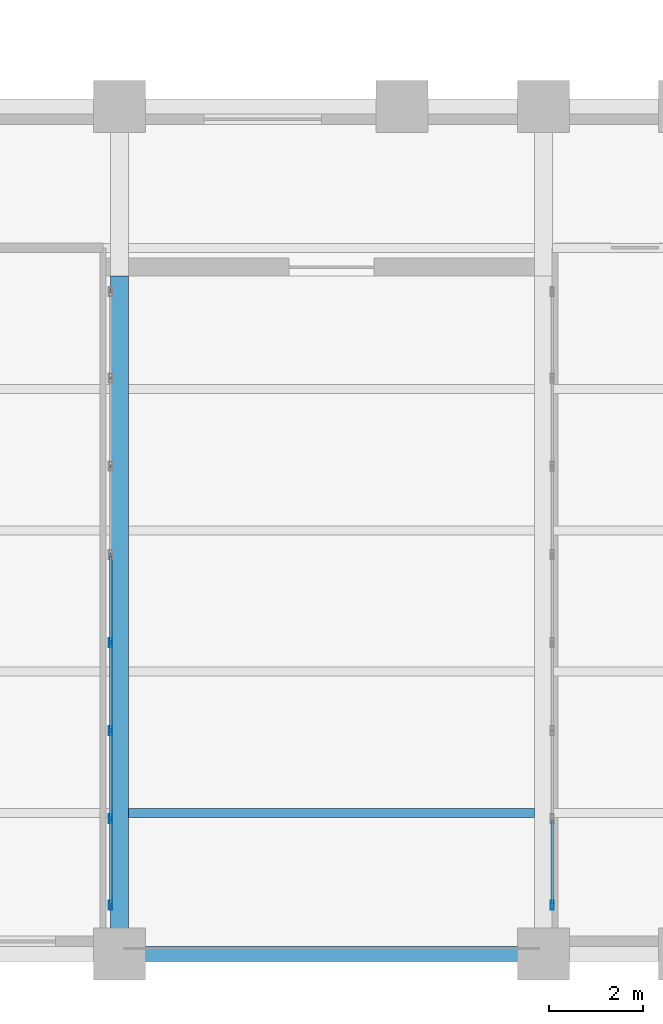
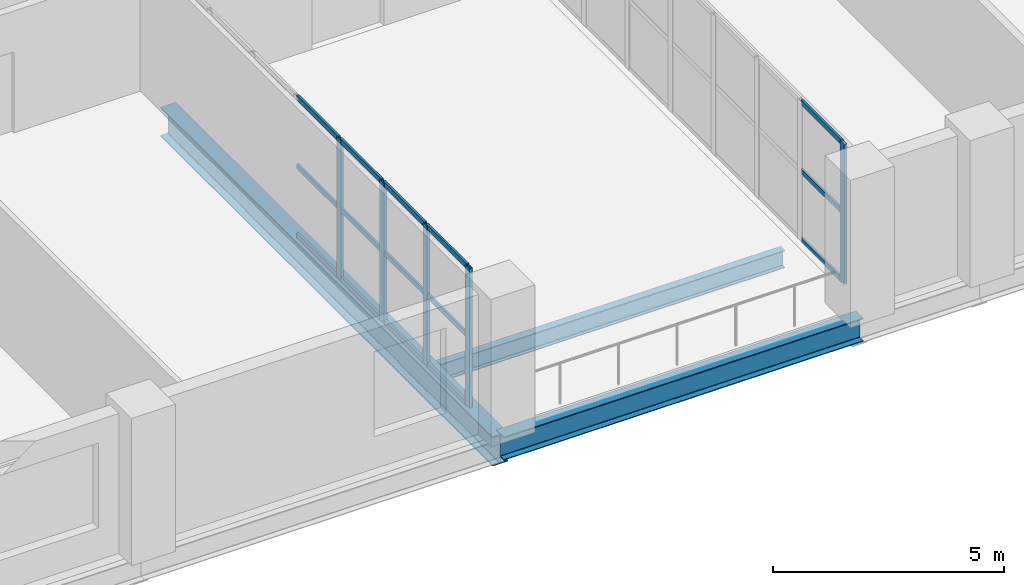
# One storey, part 2 of 12: 20 members, 3 beams, 2 elements without a shape of their own.
"""IFC4 building model written with IfcOpenShell, lengths in metres."""

from ifc_helpers import new_model, si_unit, direction, frame, origin, origin_2d, place, context, subcontext, project, spatial, hollow_rectangle, i_section, extrude, material, layer, layer_set, material_profile, profile_set, type_object, element, aggregate, save


model = new_model("IFC4")

# Units and contexts
model_context = context("Model", 3, precision=1e-05, world=origin(), true_north=direction((0.0, 1.0)))
body_context = subcontext(model_context, "Body", "Model", "MODEL_VIEW")
ifc_project = project(units=[si_unit("LENGTHUNIT", "METRE"), si_unit("AREAUNIT", "SQUARE_METRE"), si_unit("VOLUMEUNIT", "CUBIC_METRE"), si_unit("PLANEANGLEUNIT", "RADIAN"), si_unit("MASSUNIT", "GRAM", prefix="KILO")], contexts=[model_context])

# Site, building, storey
site_placement = place(None, origin())
site = spatial("IfcSite", under=ifc_project, at=site_placement, CompositionType="ELEMENT")
building_placement = place(site_placement, origin())
building = spatial("IfcBuilding", under=site, at=building_placement, Name="Mawjdan Bourse Tower", CompositionType="ELEMENT")
storey_placement = place(building_placement, frame((0.0, 0.0, 120.60009765625)))
storey = spatial("IfcBuildingStorey", under=building, at=storey_placement, Name="L28", CompositionType="ELEMENT", Elevation=120.60009765625)

# Beams
ifc_material_1 = material(Name="Structural Steel S355", Category="steel")
ifc_material_profile_1 = material_profile(ifc_material_1, i_section(OverallWidth=0.381103515625, OverallDepth=0.77294921875, WebThickness=0.0166015625, FlangeThickness=0.027099609375, FilletRadius=0.021728515625, at=origin_2d()), Name="W30X173")
ifc_profile_set_1 = profile_set([ifc_material_profile_1], Name="Structural Steel S355")
beam_type_1 = type_object("IfcBeamType", Name="GRD-W30X173", PredefinedType="BEAM", material=ifc_profile_set_1)
beam_1_placement = place(storey_placement, frame((42.0, 3.0, -0.586669921875), z_axis=(0.0, 1.0, 0.0), x_axis=(-1.0, 0.0, 0.0)))
element("IfcBeam", 1, at=beam_1_placement, inside=storey, type_object=beam_type_1, Name="L28 East Wing Clear-Span Girder 003", PredefinedType="BEAM", context=body_context, shape_type="SweptSolid", body=[
    extrude(i_section(OverallWidth=0.381103515625, OverallDepth=0.77294921875, WebThickness=0.0166015625, FlangeThickness=0.027099609375, FilletRadius=0.021728515625, at=origin_2d()), origin(), (0.0, 0.0, 1.0), 14.39990234375),
])
ifc_material_profile_2 = material_profile(ifc_material_1, i_section(OverallWidth=0.19189453125, OverallDepth=0.462890625, WebThickness=0.010498046875, FlangeThickness=0.017578125, FilletRadius=0.01416015625, at=origin_2d()), Name="W18X60")
ifc_profile_set_2 = profile_set([ifc_material_profile_2], Name="Structural Steel S355")
beam_type_2 = type_object("IfcBeamType", Name="JST-W18X60", PredefinedType="JOIST", material=ifc_profile_set_2)
beam_2_placement = place(storey_placement, frame((42.1884765625, 6.0, -0.401611328125), z_axis=(1.0, 0.0, 0.0), x_axis=(0.0, 1.0, 0.0)))
element("IfcBeam", 2, at=beam_2_placement, inside=storey, type_object=beam_type_2, Name="L28 L28 Portal Sky Deck Joist 025", PredefinedType="JOIST", context=body_context, shape_type="SweptSolid", body=[
    extrude(i_section(OverallWidth=0.19189453125, OverallDepth=0.462890625, WebThickness=0.010498046875, FlangeThickness=0.017578125, FilletRadius=0.01416015625, at=origin_2d()), origin(), (0.0, 0.0, 1.0), 8.623046875),
])

# Curtain wall, members
ifc_material_2 = material(Name="Thermally Broken Aluminium and Solar Glass", Category="aluminium")
ifc_layer = layer(ifc_material_2, 0.219970703125)
ifc_layer_set = layer_set([ifc_layer], Name="Thermally Broken Aluminium and Solar Glass")
curtain_wall_type = type_object("IfcCurtainWallType", Name="CW-POR", PredefinedType="USERDEFINED", material=ifc_layer_set)
curtain_wall_1_placement = place(storey_placement, origin())
curtain_wall_1 = element("IfcCurtainWall", 3, at=curtain_wall_1_placement, inside=storey, type_object=curtain_wall_type, Name="L28 East Void Portal Glazed Cheek 1", ObjectType="VOID PORTAL CURTAIN WALL", PredefinedType="USERDEFINED")
ifc_material_3 = material(Name="Thermally Broken Anodised Aluminium", Category="aluminium")
ifc_material_profile_3 = material_profile(ifc_material_3, hollow_rectangle(XDim=0.070068359375, YDim=0.18994140625, WallThickness=0.00439453125, at=origin_2d()), Name="ALU-MUL-190X70")
ifc_profile_set_3 = profile_set([ifc_material_profile_3], Name="Thermally Broken Anodised Aluminium")
member_type_1 = type_object("IfcMemberType", Name="MUL-ALU-MUL-190X70", PredefinedType="MULLION", material=ifc_profile_set_3)
member_1_placement = place(storey_placement, frame((41.81005859375, 4.034912109375, 0.0), z_axis=(0.0, 0.0, 1.0), x_axis=(-1.0, 0.0, 0.0)))
member_1 = element("IfcMember", 4, at=member_1_placement, type_object=member_type_1, Name="CW-POR-L28-POR-E1 mullion 1", PredefinedType="MULLION", context=body_context, shape_type="SweptSolid", body=[
    extrude(hollow_rectangle(XDim=0.070068359375, YDim=0.18994140625, WallThickness=0.00439453125, at=origin_2d()), origin(), (0.0, 0.0, 1.0), 3.699951171875),
])
member_2_placement = place(storey_placement, frame((41.81005859375, 5.871337890625, 0.0), z_axis=(0.0, 0.0, 1.0), x_axis=(-1.0, 0.0, 0.0)))
member_2 = element("IfcMember", 5, at=member_2_placement, type_object=member_type_1, Name="CW-POR-L28-POR-E1 mullion 2", PredefinedType="MULLION", context=body_context, shape_type="SweptSolid", body=[
    extrude(hollow_rectangle(XDim=0.070068359375, YDim=0.18994140625, WallThickness=0.00439453125, at=origin_2d()), origin(), (0.0, 0.0, 1.0), 3.699951171875),
])
member_3_placement = place(storey_placement, frame((41.81005859375, 7.742919921875, 0.0), z_axis=(0.0, 0.0, 1.0), x_axis=(-1.0, 0.0, 0.0)))
member_3 = element("IfcMember", 6, at=member_3_placement, type_object=member_type_1, Name="CW-POR-L28-POR-E1 mullion 3", PredefinedType="MULLION", context=body_context, shape_type="SweptSolid", body=[
    extrude(hollow_rectangle(XDim=0.070068359375, YDim=0.18994140625, WallThickness=0.00439453125, at=origin_2d()), origin(), (0.0, 0.0, 1.0), 3.699951171875),
])
member_4_placement = place(storey_placement, frame((41.81005859375, 9.6142578125, 0.0), z_axis=(0.0, 0.0, 1.0), x_axis=(-1.0, 0.0, 0.0)))
member_4 = element("IfcMember", 7, at=member_4_placement, type_object=member_type_1, Name="CW-POR-L28-POR-E1 mullion 4", PredefinedType="MULLION", context=body_context, shape_type="SweptSolid", body=[
    extrude(hollow_rectangle(XDim=0.070068359375, YDim=0.18994140625, WallThickness=0.00439453125, at=origin_2d()), origin(), (0.0, 0.0, 1.0), 3.699951171875),
])

# Curtain wall, member
curtain_wall_2_placement = place(storey_placement, origin())
curtain_wall_2 = element("IfcCurtainWall", 8, at=curtain_wall_2_placement, inside=storey, type_object=curtain_wall_type, Name="L28 East Void Portal Glazed Cheek 3", ObjectType="VOID PORTAL CURTAIN WALL", PredefinedType="USERDEFINED")
member_5_placement = place(storey_placement, frame((51.18994140625, 4.034912109375, 0.0), z_axis=(0.0, 0.0, 1.0), x_axis=(1.0, 0.0, 0.0)))
member_5 = element("IfcMember", 9, at=member_5_placement, type_object=member_type_1, Name="CW-POR-L28-POR-E3 mullion 8", PredefinedType="MULLION", context=body_context, shape_type="SweptSolid", body=[
    extrude(hollow_rectangle(XDim=0.070068359375, YDim=0.18994140625, WallThickness=0.00439453125, at=origin_2d()), origin(), (0.0, 0.0, 1.0), 3.699951171875),
])

# Beam
ifc_material_profile_4 = material_profile(ifc_material_1, i_section(OverallWidth=0.324951171875, OverallDepth=0.616943359375, WebThickness=0.013916015625, FlangeThickness=0.021484375, FilletRadius=0.017333984375, at=origin_2d()), Name="W24X117")
ifc_profile_set_4 = profile_set([ifc_material_profile_4], Name="Structural Steel S355")
beam_type_3 = type_object("IfcBeamType", Name="SPN-W24X117", PredefinedType="SPANDREL", material=ifc_profile_set_4)
beam_3_placement = place(storey_placement, frame((42.0, 3.0, -0.478515625), z_axis=(1.0, 0.0, 0.0), x_axis=(0.0, 1.0, 0.0)))
element("IfcBeam", 10, at=beam_3_placement, inside=storey, type_object=beam_type_3, Name="L28 L28 Portal Sky Deck Edge Spandrel 012", PredefinedType="SPANDREL", context=body_context, shape_type="SweptSolid", body=[
    extrude(i_section(OverallWidth=0.324951171875, OverallDepth=0.616943359375, WebThickness=0.013916015625, FlangeThickness=0.021484375, FilletRadius=0.017333984375, at=origin_2d()), origin(), (0.0, 0.0, 1.0), 9.0),
])

# Member
ifc_material_profile_5 = material_profile(ifc_material_3, hollow_rectangle(XDim=0.054931640625, YDim=0.1298828125, WallThickness=0.00341796875, at=origin_2d()), Name="ALU-TRN-130X55")
ifc_profile_set_5 = profile_set([ifc_material_profile_5], Name="Thermally Broken Anodised Aluminium")
member_type_2 = type_object("IfcMemberType", Name="TRN-ALU-TRN-130X55", PredefinedType="USERDEFINED", material=ifc_profile_set_5)
member_6_placement = place(storey_placement, frame((41.81005859375, 4.070068359375, 0.02734375), z_axis=(0.0, 1.0, 0.0), x_axis=(-1.0, 0.0, 0.0)))
member_6 = element("IfcMember", 11, at=member_6_placement, type_object=member_type_2, Name="CW-POR-L28-POR-E1 transom 1.1", ObjectType="TRANSOM", PredefinedType="USERDEFINED", context=body_context, shape_type="SweptSolid", body=[
    extrude(hollow_rectangle(XDim=0.054931640625, YDim=0.1298828125, WallThickness=0.00341796875, at=origin_2d()), origin(), (0.0, 0.0, 1.0), 1.766357421875),
])

member_7_placement = place(storey_placement, frame((41.81005859375, 4.070068359375, 1.849853515625), z_axis=(0.0, 1.0, 0.0), x_axis=(-1.0, 0.0, 0.0)))
member_7 = element("IfcMember", 12, at=member_7_placement, type_object=member_type_2, Name="CW-POR-L28-POR-E1 transom 1.2", ObjectType="TRANSOM", PredefinedType="USERDEFINED", context=body_context, shape_type="SweptSolid", body=[
    extrude(hollow_rectangle(XDim=0.054931640625, YDim=0.1298828125, WallThickness=0.00341796875, at=origin_2d()), origin(), (0.0, 0.0, 1.0), 1.766357421875),
])

member_8_placement = place(storey_placement, frame((41.81005859375, 4.070068359375, 3.67236328125), z_axis=(0.0, 1.0, 0.0), x_axis=(-1.0, 0.0, 0.0)))
member_8 = element("IfcMember", 13, at=member_8_placement, type_object=member_type_2, Name="CW-POR-L28-POR-E1 transom 1.3", ObjectType="TRANSOM", PredefinedType="USERDEFINED", context=body_context, shape_type="SweptSolid", body=[
    extrude(hollow_rectangle(XDim=0.054931640625, YDim=0.1298828125, WallThickness=0.00341796875, at=origin_2d()), origin(), (0.0, 0.0, 1.0), 1.766357421875),
])

member_9_placement = place(storey_placement, frame((41.81005859375, 5.906494140625, 0.02734375), z_axis=(0.0, 1.0, 0.0), x_axis=(-1.0, 0.0, 0.0)))
member_9 = element("IfcMember", 14, at=member_9_placement, type_object=member_type_2, Name="CW-POR-L28-POR-E1 transom 2.1", ObjectType="TRANSOM", PredefinedType="USERDEFINED", context=body_context, shape_type="SweptSolid", body=[
    extrude(hollow_rectangle(XDim=0.054931640625, YDim=0.1298828125, WallThickness=0.00341796875, at=origin_2d()), origin(), (0.0, 0.0, 1.0), 1.80126953125),
])

member_10_placement = place(storey_placement, frame((41.81005859375, 5.906494140625, 1.849853515625), z_axis=(0.0, 1.0, 0.0), x_axis=(-1.0, 0.0, 0.0)))
member_10 = element("IfcMember", 15, at=member_10_placement, type_object=member_type_2, Name="CW-POR-L28-POR-E1 transom 2.2", ObjectType="TRANSOM", PredefinedType="USERDEFINED", context=body_context, shape_type="SweptSolid", body=[
    extrude(hollow_rectangle(XDim=0.054931640625, YDim=0.1298828125, WallThickness=0.00341796875, at=origin_2d()), origin(), (0.0, 0.0, 1.0), 1.80126953125),
])

member_11_placement = place(storey_placement, frame((41.81005859375, 5.906494140625, 3.67236328125), z_axis=(0.0, 1.0, 0.0), x_axis=(-1.0, 0.0, 0.0)))
member_11 = element("IfcMember", 16, at=member_11_placement, type_object=member_type_2, Name="CW-POR-L28-POR-E1 transom 2.3", ObjectType="TRANSOM", PredefinedType="USERDEFINED", context=body_context, shape_type="SweptSolid", body=[
    extrude(hollow_rectangle(XDim=0.054931640625, YDim=0.1298828125, WallThickness=0.00341796875, at=origin_2d()), origin(), (0.0, 0.0, 1.0), 1.80126953125),
])

member_12_placement = place(storey_placement, frame((41.81005859375, 7.77783203125, 0.02734375), z_axis=(0.0, 1.0, 0.0), x_axis=(-1.0, 0.0, 0.0)))
member_12 = element("IfcMember", 17, at=member_12_placement, type_object=member_type_2, Name="CW-POR-L28-POR-E1 transom 3.1", ObjectType="TRANSOM", PredefinedType="USERDEFINED", context=body_context, shape_type="SweptSolid", body=[
    extrude(hollow_rectangle(XDim=0.054931640625, YDim=0.1298828125, WallThickness=0.00341796875, at=origin_2d()), origin(), (0.0, 0.0, 1.0), 1.801513671875),
])

member_13_placement = place(storey_placement, frame((41.81005859375, 7.77783203125, 1.849853515625), z_axis=(0.0, 1.0, 0.0), x_axis=(-1.0, 0.0, 0.0)))
member_13 = element("IfcMember", 18, at=member_13_placement, type_object=member_type_2, Name="CW-POR-L28-POR-E1 transom 3.2", ObjectType="TRANSOM", PredefinedType="USERDEFINED", context=body_context, shape_type="SweptSolid", body=[
    extrude(hollow_rectangle(XDim=0.054931640625, YDim=0.1298828125, WallThickness=0.00341796875, at=origin_2d()), origin(), (0.0, 0.0, 1.0), 1.801513671875),
])

member_14_placement = place(storey_placement, frame((41.81005859375, 7.77783203125, 3.67236328125), z_axis=(0.0, 1.0, 0.0), x_axis=(-1.0, 0.0, 0.0)))
member_14 = element("IfcMember", 19, at=member_14_placement, type_object=member_type_2, Name="CW-POR-L28-POR-E1 transom 3.3", ObjectType="TRANSOM", PredefinedType="USERDEFINED", context=body_context, shape_type="SweptSolid", body=[
    extrude(hollow_rectangle(XDim=0.054931640625, YDim=0.1298828125, WallThickness=0.00341796875, at=origin_2d()), origin(), (0.0, 0.0, 1.0), 1.801513671875),
])

member_15_placement = place(storey_placement, frame((41.81005859375, 9.649169921875, 0.02734375), z_axis=(0.0, 1.0, 0.0), x_axis=(-1.0, 0.0, 0.0)))
member_15 = element("IfcMember", 20, at=member_15_placement, type_object=member_type_2, Name="CW-POR-L28-POR-E1 transom 4.1", ObjectType="TRANSOM", PredefinedType="USERDEFINED", context=body_context, shape_type="SweptSolid", body=[
    extrude(hollow_rectangle(XDim=0.054931640625, YDim=0.1298828125, WallThickness=0.00341796875, at=origin_2d()), origin(), (0.0, 0.0, 1.0), 1.801513671875),
])

member_16_placement = place(storey_placement, frame((41.81005859375, 9.649169921875, 1.849853515625), z_axis=(0.0, 1.0, 0.0), x_axis=(-1.0, 0.0, 0.0)))
member_16 = element("IfcMember", 21, at=member_16_placement, type_object=member_type_2, Name="CW-POR-L28-POR-E1 transom 4.2", ObjectType="TRANSOM", PredefinedType="USERDEFINED", context=body_context, shape_type="SweptSolid", body=[
    extrude(hollow_rectangle(XDim=0.054931640625, YDim=0.1298828125, WallThickness=0.00341796875, at=origin_2d()), origin(), (0.0, 0.0, 1.0), 1.801513671875),
])

member_17_placement = place(storey_placement, frame((41.81005859375, 9.649169921875, 3.67236328125), z_axis=(0.0, 1.0, 0.0), x_axis=(-1.0, 0.0, 0.0)))
member_17 = element("IfcMember", 22, at=member_17_placement, type_object=member_type_2, Name="CW-POR-L28-POR-E1 transom 4.3", ObjectType="TRANSOM", PredefinedType="USERDEFINED", context=body_context, shape_type="SweptSolid", body=[
    extrude(hollow_rectangle(XDim=0.054931640625, YDim=0.1298828125, WallThickness=0.00341796875, at=origin_2d()), origin(), (0.0, 0.0, 1.0), 1.801513671875),
])

aggregate(curtain_wall_1, [member_1, member_2, member_3, member_4, member_6, member_7, member_8, member_9, member_10, member_11, member_12, member_13, member_14, member_15, member_16, member_17])

member_18_placement = place(storey_placement, frame((51.18994140625, 5.83642578125, 0.02734375), z_axis=(0.0, -1.0, 0.0), x_axis=(1.0, 0.0, 0.0)))
member_18 = element("IfcMember", 23, at=member_18_placement, type_object=member_type_2, Name="CW-POR-L28-POR-E3 transom 7.1", ObjectType="TRANSOM", PredefinedType="USERDEFINED", context=body_context, shape_type="SweptSolid", body=[
    extrude(hollow_rectangle(XDim=0.054931640625, YDim=0.1298828125, WallThickness=0.00341796875, at=origin_2d()), origin(), (0.0, 0.0, 1.0), 1.766357421875),
])

member_19_placement = place(storey_placement, frame((51.18994140625, 5.83642578125, 1.849853515625), z_axis=(0.0, -1.0, 0.0), x_axis=(1.0, 0.0, 0.0)))
member_19 = element("IfcMember", 24, at=member_19_placement, type_object=member_type_2, Name="CW-POR-L28-POR-E3 transom 7.2", ObjectType="TRANSOM", PredefinedType="USERDEFINED", context=body_context, shape_type="SweptSolid", body=[
    extrude(hollow_rectangle(XDim=0.054931640625, YDim=0.1298828125, WallThickness=0.00341796875, at=origin_2d()), origin(), (0.0, 0.0, 1.0), 1.766357421875),
])

member_20_placement = place(storey_placement, frame((51.18994140625, 5.83642578125, 3.67236328125), z_axis=(0.0, -1.0, 0.0), x_axis=(1.0, 0.0, 0.0)))
member_20 = element("IfcMember", 25, at=member_20_placement, type_object=member_type_2, Name="CW-POR-L28-POR-E3 transom 7.3", ObjectType="TRANSOM", PredefinedType="USERDEFINED", context=body_context, shape_type="SweptSolid", body=[
    extrude(hollow_rectangle(XDim=0.054931640625, YDim=0.1298828125, WallThickness=0.00341796875, at=origin_2d()), origin(), (0.0, 0.0, 1.0), 1.766357421875),
])

aggregate(curtain_wall_2, [member_5, member_18, member_19, member_20])

save(model, "model.ifc")
